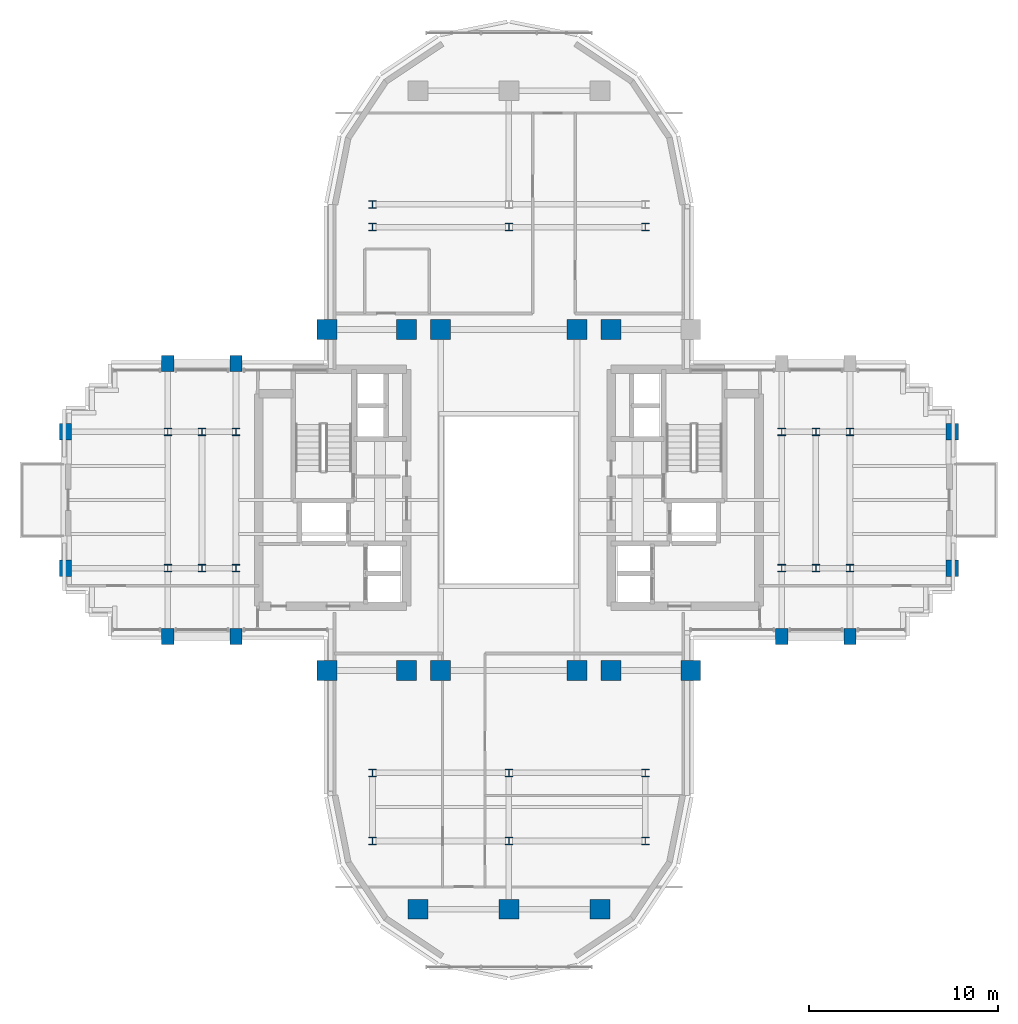
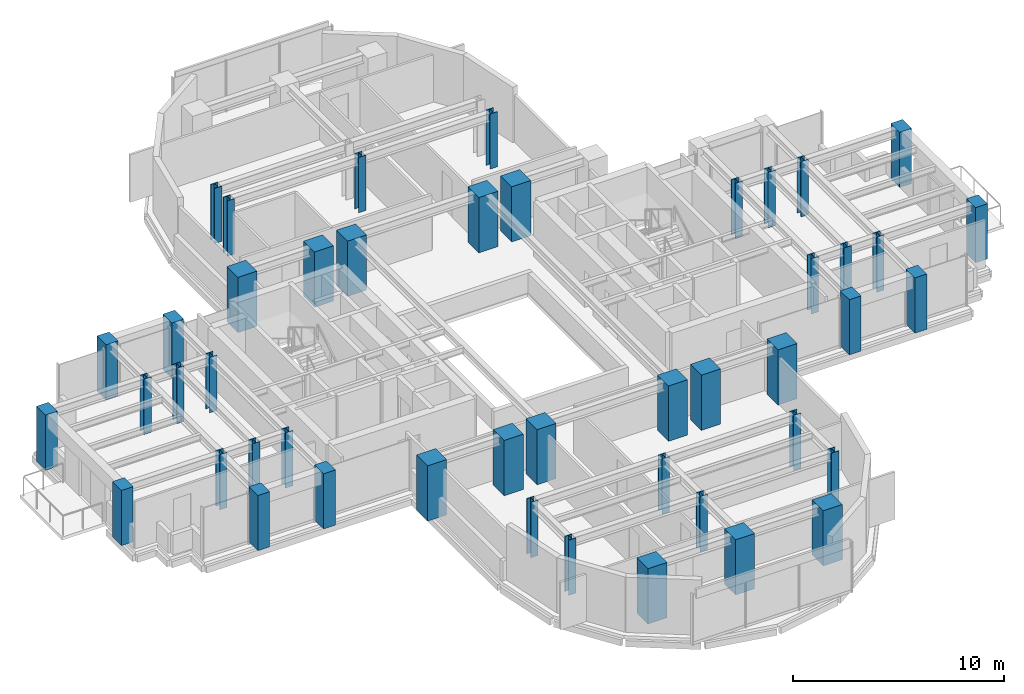
# One storey, part 1 of 13: 46 columns.
"""IFC4 building model written with IfcOpenShell, lengths in metres."""

from ifc_helpers import new_model, si_unit, direction, frame, origin, origin_2d, place, context, subcontext, project, spatial, rectangle, i_section, extrude, source, transform, mapped, material, material_profile, profile_set, type_object, element, save


model = new_model("IFC4")

# Units and contexts
model_context = context("Model", 3, precision=1e-05, world=origin(), true_north=direction((0.0, 1.0)))
body_context = subcontext(model_context, "Body", "Model", "MODEL_VIEW")
ifc_project = project(units=[si_unit("LENGTHUNIT", "METRE"), si_unit("AREAUNIT", "SQUARE_METRE"), si_unit("VOLUMEUNIT", "CUBIC_METRE"), si_unit("PLANEANGLEUNIT", "RADIAN"), si_unit("MASSUNIT", "GRAM", prefix="KILO")], contexts=[model_context])

# Site, building, storey
site_placement = place(None, origin())
site = spatial("IfcSite", under=ifc_project, at=site_placement, CompositionType="ELEMENT")
building_placement = place(site_placement, origin())
building = spatial("IfcBuilding", under=site, at=building_placement, Name="Keilestroom Media Tower", CompositionType="ELEMENT")
storey_placement = place(building_placement, frame((0.0, 0.0, 100.60009765625)))
storey = spatial("IfcBuildingStorey", under=building, at=storey_placement, Name="L26", CompositionType="ELEMENT", Elevation=100.60009765625)

# Columns
ifc_material_1 = material(Name="Precast concrete C40/50", Category="concrete")
ifc_material_profile_1 = material_profile(ifc_material_1, rectangle(XDim=0.64990234375, YDim=0.85009765625, at=origin_2d()), Name="PC 850x650")
ifc_profile_set_1 = profile_set([ifc_material_profile_1], Name="Precast concrete C40/50")
column_type_1 = type_object("IfcColumnType", Name="Structural-Column-PC-850x650", PredefinedType="COLUMN", material=ifc_profile_set_1)
shared_shape_1 = source(origin(), body_context, "Body", "SweptSolid", [
    extrude(rectangle(XDim=0.64990234375, YDim=0.85009765625, at=origin_2d()), origin(), (0.0, 0.0, 1.0), 3.199951171875),
])
for number, where, z_axis, x_axis, name in (
    (1, (-23.39990234375, -3.60009765625, 0.0), (0.0, 0.0, 1.0), (1.0, 0.0, 0.0), "L26 Column PC-2 (-23.4,-3.6)"),
    (2, (-23.39990234375, 3.60009765625, 0.0), (0.0, 0.0, 1.0), (1.0, 0.0, 0.0), "L26 Column PC-2 (-23.4,+3.6)"),
    (3, (-18.0, -7.199951171875, 0.0), (0.0, 0.0, 1.0), (1.0, 0.0, 0.0), "L26 Column PC-2 (-18.0,-7.2)"),
    (4, (-18.0, 7.199951171875, 0.0), (0.0, 0.0, 1.0), (1.0, 0.0, 0.0), "L26 Column PC-2 (-18.0,+7.2)"),
    (5, (-14.39990234375, -7.199951171875, 0.0), (0.0, 0.0, 1.0), (1.0, 0.0, 0.0), "L26 Column PC-2 (-14.4,-7.2)"),
    (6, (-14.39990234375, 7.199951171875, 0.0), (0.0, 0.0, 1.0), (1.0, 0.0, 0.0), "L26 Column PC-2 (-14.4,+7.2)"),
    (7, (14.39990234375, -7.199951171875, 0.0), (0.0, 0.0, 1.0), (1.0, 0.0, 0.0), "L26 Column PC-2 (+14.4,-7.2)"),
    (8, (18.0, -7.199951171875, 0.0), (0.0, 0.0, 1.0), (1.0, 0.0, 0.0), "L26 Column PC-2 (+18.0,-7.2)"),
    (9, (23.39990234375, -3.60009765625, 0.0), (0.0, 0.0, 1.0), (1.0, 0.0, 0.0), "L26 Column PC-2 (+23.4,-3.6)"),
    (10, (23.39990234375, 3.60009765625, 0.0), (0.0, 0.0, 1.0), (1.0, 0.0, 0.0), "L26 Column PC-2 (+23.4,+3.6)"),
):
    element("IfcColumn", number, at=place(storey_placement, frame(where, z_axis=z_axis, x_axis=x_axis)), inside=storey, type_object=column_type_1, Name=name, PredefinedType="COLUMN", context=body_context, shape_type="MappedRepresentation", body=[
        mapped(shared_shape_1, transform((0.0, 0.0, 0.0), x_axis=(1.0, 0.0, 0.0), y_axis=(0.0, 1.0, 0.0), z_axis=(0.0, 0.0, 1.0), scale=1.0)),
    ])
ifc_material_2 = material(Name="Steel S355", Category="steel")
ifc_material_profile_2 = material_profile(ifc_material_2, i_section(OverallWidth=0.40087890625, OverallDepth=0.39892578125, WebThickness=0.02001953125, FlangeThickness=0.031982421875, at=origin_2d()), Name="HD 400x314")
ifc_profile_set_2 = profile_set([ifc_material_profile_2], Name="Steel S355")
column_type_2 = type_object("IfcColumnType", Name="Structural-Column-HD-400x314", PredefinedType="COLUMN", material=ifc_profile_set_2)
shared_shape_2 = source(origin(), body_context, "Body", "SweptSolid", [
    extrude(i_section(OverallWidth=0.40087890625, OverallDepth=0.39892578125, WebThickness=0.02001953125, FlangeThickness=0.031982421875, at=origin_2d()), origin(), (0.0, 0.0, 1.0), 3.199951171875),
])
for number, where, z_axis, x_axis, name in (
    (11, (-18.0, -3.60009765625, 0.0), (0.0, 0.0, 1.0), (1.0, 0.0, 0.0), "L26 Column SC-3 (-18.0,-3.6)"),
    (12, (-18.0, 3.60009765625, 0.0), (0.0, 0.0, 1.0), (1.0, 0.0, 0.0), "L26 Column SC-3 (-18.0,+3.6)"),
    (13, (-16.199951171875, -3.60009765625, 0.0), (0.0, 0.0, 1.0), (1.0, 0.0, 0.0), "L26 Column SC-3 (-16.2,-3.6)"),
    (14, (-16.199951171875, 3.60009765625, 0.0), (0.0, 0.0, 1.0), (1.0, 0.0, 0.0), "L26 Column SC-3 (-16.2,+3.6)"),
    (15, (-14.39990234375, -3.60009765625, 0.0), (0.0, 0.0, 1.0), (1.0, 0.0, 0.0), "L26 Column SC-3 (-14.4,-3.6)"),
    (16, (-14.39990234375, 3.60009765625, 0.0), (0.0, 0.0, 1.0), (1.0, 0.0, 0.0), "L26 Column SC-3 (-14.4,+3.6)"),
    (17, (-7.199951171875, -18.0, 0.0), (0.0, 0.0, 1.0), (1.0, 0.0, 0.0), "L26 Column SC-3 (-7.2,-18.0)"),
    (18, (-7.199951171875, -14.39990234375, 0.0), (0.0, 0.0, 1.0), (1.0, 0.0, 0.0), "L26 Column SC-3 (-7.2,-14.4)"),
    (19, (-7.199951171875, 14.39990234375, 0.0), (0.0, 0.0, 1.0), (1.0, 0.0, 0.0), "L26 Column SC-3 (-7.2,+14.4)"),
    (20, (-7.199951171875, 15.60009765625, 0.0), (0.0, 0.0, 1.0), (1.0, 0.0, 0.0), "L26 Column SC-3 (-7.2,+15.6)"),
    (21, (0.0, -18.0, 0.0), (0.0, 0.0, 1.0), (1.0, 0.0, 0.0), "L26 Column SC-3 (+0.0,-18.0)"),
    (22, (0.0, -14.39990234375, 0.0), (0.0, 0.0, 1.0), (1.0, 0.0, 0.0), "L26 Column SC-3 (+0.0,-14.4)"),
    (23, (0.0, 14.39990234375, 0.0), (0.0, 0.0, 1.0), (1.0, 0.0, 0.0), "L26 Column SC-3 (+0.0,+14.4)"),
    (24, (7.199951171875, -18.0, 0.0), (0.0, 0.0, 1.0), (1.0, 0.0, 0.0), "L26 Column SC-3 (+7.2,-18.0)"),
    (25, (7.199951171875, -14.39990234375, 0.0), (0.0, 0.0, 1.0), (1.0, 0.0, 0.0), "L26 Column SC-3 (+7.2,-14.4)"),
    (26, (7.199951171875, 14.39990234375, 0.0), (0.0, 0.0, 1.0), (1.0, 0.0, 0.0), "L26 Column SC-3 (+7.2,+14.4)"),
    (27, (14.39990234375, -3.60009765625, 0.0), (0.0, 0.0, 1.0), (1.0, 0.0, 0.0), "L26 Column SC-3 (+14.4,-3.6)"),
    (28, (14.39990234375, 3.60009765625, 0.0), (0.0, 0.0, 1.0), (1.0, 0.0, 0.0), "L26 Column SC-3 (+14.4,+3.6)"),
    (29, (16.199951171875, -3.60009765625, 0.0), (0.0, 0.0, 1.0), (1.0, 0.0, 0.0), "L26 Column SC-3 (+16.2,-3.6)"),
    (30, (16.199951171875, 3.60009765625, 0.0), (0.0, 0.0, 1.0), (1.0, 0.0, 0.0), "L26 Column SC-3 (+16.2,+3.6)"),
    (31, (18.0, -3.60009765625, 0.0), (0.0, 0.0, 1.0), (1.0, 0.0, 0.0), "L26 Column SC-3 (+18.0,-3.6)"),
    (32, (18.0, 3.60009765625, 0.0), (0.0, 0.0, 1.0), (1.0, 0.0, 0.0), "L26 Column SC-3 (+18.0,+3.6)"),
):
    element("IfcColumn", number, at=place(storey_placement, frame(where, z_axis=z_axis, x_axis=x_axis)), inside=storey, type_object=column_type_2, Name=name, PredefinedType="COLUMN", context=body_context, shape_type="MappedRepresentation", body=[
        mapped(shared_shape_2, transform((0.0, 0.0, 0.0), x_axis=(1.0, 0.0, 0.0), y_axis=(0.0, 1.0, 0.0), z_axis=(0.0, 0.0, 1.0), scale=1.0)),
    ])
ifc_material_3 = material(Name="Concrete C55/67", Category="concrete")
ifc_material_profile_3 = material_profile(ifc_material_3, rectangle(XDim=1.050048828125, YDim=1.050048828125, at=origin_2d()), Name="RC 1050x1050")
ifc_profile_set_3 = profile_set([ifc_material_profile_3], Name="Concrete C55/67")
column_type_3 = type_object("IfcColumnType", Name="Structural-Column-RC-1050x1050", PredefinedType="COLUMN", material=ifc_profile_set_3)
shared_shape_3 = source(origin(), body_context, "Body", "SweptSolid", [
    extrude(rectangle(XDim=1.050048828125, YDim=1.050048828125, at=origin_2d()), origin(), (0.0, 0.0, 1.0), 3.199951171875),
])
for number, where, z_axis, x_axis, name in (
    (33, (-9.60009765625, -9.0, 0.0), (0.0, 0.0, 1.0), (1.0, 0.0, 0.0), "L26 Column MC-3 (-9.6,-9.0)"),
    (34, (-9.60009765625, 9.0, 0.0), (0.0, 0.0, 1.0), (1.0, 0.0, 0.0), "L26 Column MC-3 (-9.6,+9.0)"),
    (35, (-5.39990234375, -9.0, 0.0), (0.0, 0.0, 1.0), (1.0, 0.0, 0.0), "L26 Column MC-3 (-5.4,-9.0)"),
    (36, (-5.39990234375, 9.0, 0.0), (0.0, 0.0, 1.0), (1.0, 0.0, 0.0), "L26 Column MC-3 (-5.4,+9.0)"),
    (37, (-4.800048828125, -21.60009765625, 0.0), (0.0, 0.0, 1.0), (1.0, 0.0, 0.0), "L26 Column MC-3 (-4.8,-21.6)"),
    (38, (-3.60009765625, -9.0, 0.0), (0.0, 0.0, 1.0), (1.0, 0.0, 0.0), "L26 Column MC-3 (-3.6,-9.0)"),
    (39, (-3.60009765625, 9.0, 0.0), (0.0, 0.0, 1.0), (1.0, 0.0, 0.0), "L26 Column MC-3 (-3.6,+9.0)"),
    (40, (0.0, -21.60009765625, 0.0), (0.0, 0.0, 1.0), (1.0, 0.0, 0.0), "L26 Column MC-3 (+0.0,-21.6)"),
    (41, (3.60009765625, -9.0, 0.0), (0.0, 0.0, 1.0), (1.0, 0.0, 0.0), "L26 Column MC-3 (+3.6,-9.0)"),
    (42, (3.60009765625, 9.0, 0.0), (0.0, 0.0, 1.0), (1.0, 0.0, 0.0), "L26 Column MC-3 (+3.6,+9.0)"),
    (43, (4.800048828125, -21.60009765625, 0.0), (0.0, 0.0, 1.0), (1.0, 0.0, 0.0), "L26 Column MC-3 (+4.8,-21.6)"),
    (44, (5.39990234375, -9.0, 0.0), (0.0, 0.0, 1.0), (1.0, 0.0, 0.0), "L26 Column MC-3 (+5.4,-9.0)"),
    (45, (5.39990234375, 9.0, 0.0), (0.0, 0.0, 1.0), (1.0, 0.0, 0.0), "L26 Column MC-3 (+5.4,+9.0)"),
    (46, (9.60009765625, -9.0, 0.0), (0.0, 0.0, 1.0), (1.0, 0.0, 0.0), "L26 Column MC-3 (+9.6,-9.0)"),
):
    element("IfcColumn", number, at=place(storey_placement, frame(where, z_axis=z_axis, x_axis=x_axis)), inside=storey, type_object=column_type_3, Name=name, PredefinedType="COLUMN", context=body_context, shape_type="MappedRepresentation", body=[
        mapped(shared_shape_3, transform((0.0, 0.0, 0.0), x_axis=(1.0, 0.0, 0.0), y_axis=(0.0, 1.0, 0.0), z_axis=(0.0, 0.0, 1.0), scale=1.0)),
    ])

save(model, "model.ifc")
